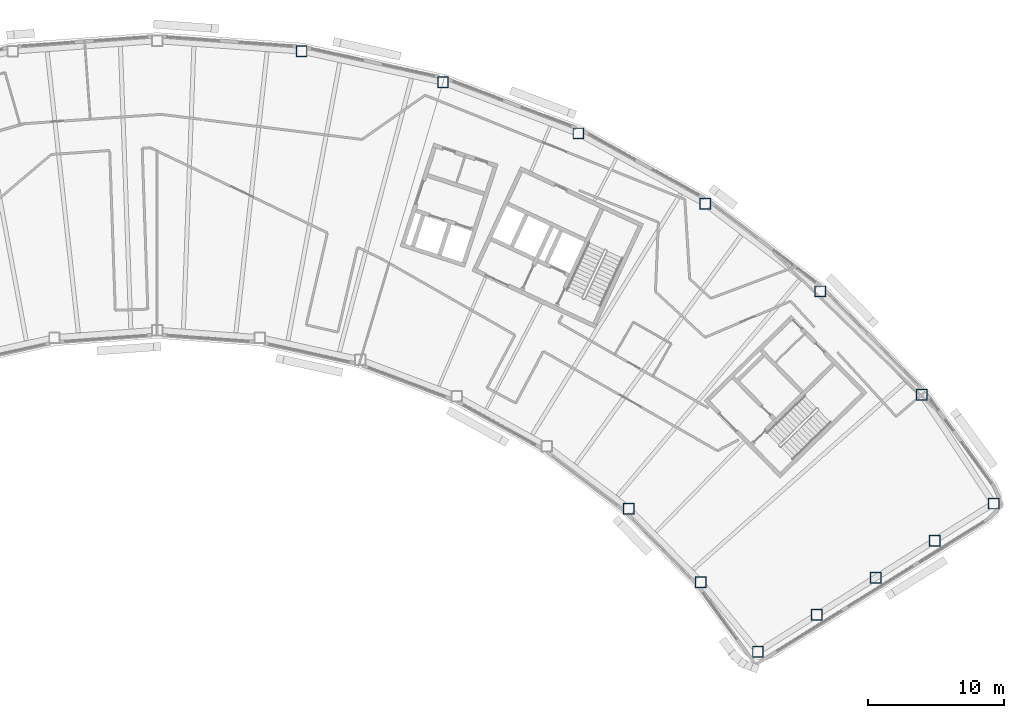
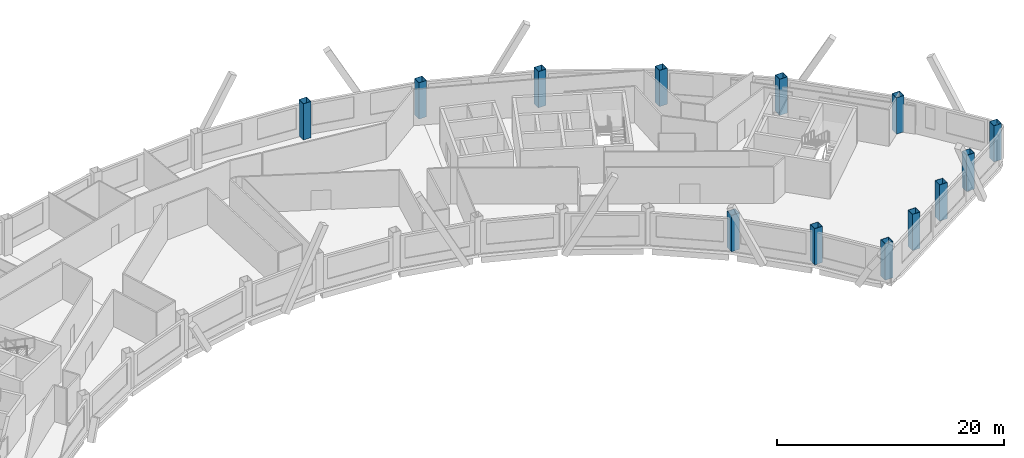
# One storey, part 2 of 12: 13 columns.
"""IFC4 building model written with IfcOpenShell, lengths in metres."""

import ifcopenshell
import ifcopenshell.guid

model = None  # the IFC model being written
_history = None  # IfcOwnerHistory: only IFC2X3 demands one
_inside = {}  # id of a spatial element -> (the spatial element, [elements in it])
_under = {}  # id of a project, library or spatial element -> (it, [spatial elements below it])
_declared = {}  # id of a project -> (the project, [libraries it declares])
_typed = {}  # id of a type object -> (the type object, [elements of that type])
_made_of = {}  # id of a material, layer set ... -> (it, [elements and type objects made of it])


def new_model(schema):
    """Start an empty IFC model of exactly this schema.

    Asked for "IFC4X3", IfcOpenShell would pick the latest addendum, in which some entities
    have other attributes; the version numbers below select the first issue.
    IFC2X3 requires an IfcOwnerHistory on every rooted entity: one is made here for all.
    """
    global model, _history
    if schema == "IFC4X3":
        model = ifcopenshell.file(schema_version=(4, 3, 0, 0))
    else:
        model = ifcopenshell.file(schema=schema)
    _inside.clear()
    _under.clear()
    _declared.clear()
    _typed.clear()
    _made_of.clear()
    _history = None
    if model.schema == "IFC2X3":
        org = make("IfcOrganization", Name="unknown")
        user = make(
            "IfcPersonAndOrganization",
            ThePerson=make("IfcPerson", FamilyName="unknown"),
            TheOrganization=org,
        )
        app = make(
            "IfcApplication",
            ApplicationDeveloper=org,
            Version="unknown",
            ApplicationFullName="unknown",
            ApplicationIdentifier="unknown",
        )
        _history = make(
            "IfcOwnerHistory",
            OwningUser=user,
            OwningApplication=app,
            ChangeAction="ADDED",
            CreationDate=0,
        )
    return model


def make(cls, **values):
    """One entity of the class cls with the attributes given. An attribute that is None is left unset."""
    return model.create_entity(
        cls, **{name: value for name, value in values.items() if value is not None}
    )


def rooted(cls, **values):
    """An entity with a GlobalId (a new one), such as an element, a storey or a relation."""
    return make(cls, GlobalId=ifcopenshell.guid.new(), OwnerHistory=_history, **values)


def si_unit(unit_type, name, prefix=None):
    """IfcSIUnit, for example si_unit("LENGTHUNIT", "METRE", prefix="MILLI")."""
    return make("IfcSIUnit", UnitType=unit_type, Prefix=prefix, Name=name)


def assignment(units):
    """IfcUnitAssignment: the units of a project."""
    return None if units is None else make("IfcUnitAssignment", Units=units)


def point(xyz):
    """IfcCartesianPoint."""
    return None if xyz is None else make("IfcCartesianPoint", Coordinates=xyz)


def direction(xyz):
    """IfcDirection."""
    return None if xyz is None else make("IfcDirection", DirectionRatios=xyz)


def frame(location, z_axis=None, x_axis=None):
    """IfcAxis2Placement3D, a coordinate frame: its origin and axes. An axis left out is left unset."""
    return make(
        "IfcAxis2Placement3D",
        Location=point(location),
        Axis=direction(z_axis),
        RefDirection=direction(x_axis),
    )


def frame_2d(location, x_axis=None):
    """IfcAxis2Placement2D, a coordinate frame in the plane: its origin and x axis."""
    return make(
        "IfcAxis2Placement2D", Location=point(location), RefDirection=direction(x_axis)
    )


def origin():
    """The frame at (0, 0, 0) with its axes left unset."""
    return frame((0.0, 0.0, 0.0))


def origin_2d():
    """The frame at (0, 0) in the plane with its x axis left unset."""
    return frame_2d((0.0, 0.0))


def place(relative_to, where):
    """IfcLocalPlacement: puts the frame where relative to a parent placement (None: the world)."""
    return make(
        "IfcLocalPlacement", PlacementRelTo=relative_to, RelativePlacement=where
    )


def context(
    kind, dimensions, precision=None, world=None, true_north=None, identifier=None
):
    """IfcGeometricRepresentationContext, for example the 3D "Model" context."""
    return make(
        "IfcGeometricRepresentationContext",
        ContextIdentifier=identifier,
        ContextType=kind,
        CoordinateSpaceDimension=dimensions,
        Precision=precision,
        WorldCoordinateSystem=world,
        TrueNorth=true_north,
    )


def subcontext(parent, identifier, kind, view, scale=None):
    """IfcGeometricRepresentationSubContext, for example "Body" below "Model"."""
    return make(
        "IfcGeometricRepresentationSubContext",
        ContextIdentifier=identifier,
        ContextType=kind,
        ParentContext=parent,
        TargetScale=scale,
        TargetView=view,
    )


def project(units=None, contexts=None):
    """IfcProject with its units and contexts."""
    return rooted(
        "IfcProject",
        Name="project",
        RepresentationContexts=contexts,
        UnitsInContext=assignment(units),
    )


def spatial(cls, under=None, at=None, **own):
    """A site, building, storey or space (cls), placed at a placement, below another one or the project."""
    s = rooted(cls, ObjectPlacement=at, **own)
    if under is not None:
        _under.setdefault(under.id(), (under, []))[1].append(s)
    return s


def profile(cls, at=None, kind="AREA", **sizes):
    """A parametric profile (cls). Its sizes go by their IFC names, for example OverallWidth=200.0."""
    return make(cls, ProfileType=kind, Position=at, **sizes)


def hollow_rectangle(**sizes):
    """IfcRectangleHollowProfileDef."""
    return profile("IfcRectangleHollowProfileDef", **sizes)


def extrude(swept, where, along, depth):
    """IfcExtrudedAreaSolid: the profile swept, set in the frame where, extruded along a direction by depth."""
    return make(
        "IfcExtrudedAreaSolid",
        SweptArea=swept,
        Position=where,
        ExtrudedDirection=direction(along),
        Depth=depth,
    )


def shape(context_of_items, identifier, shape_type, items):
    """IfcShapeRepresentation: the items that make up one representation, for example the "Body"."""
    return make(
        "IfcShapeRepresentation",
        ContextOfItems=context_of_items,
        RepresentationIdentifier=identifier,
        RepresentationType=shape_type,
        Items=items,
    )


def material(Name=None, Category=None):
    """IfcMaterial."""
    return make("IfcMaterial", Name=Name, Category=Category)


def material_profile(
    of_material, cross_section, Name=None, Category=None, Priority=None
):
    """IfcMaterialProfile: a cross section and its material."""
    return make(
        "IfcMaterialProfile",
        Name=Name,
        Material=of_material,
        Profile=cross_section,
        Priority=Priority,
        Category=Category,
    )


def profile_set(profiles, Name=None, composite=None):
    """IfcMaterialProfileSet."""
    return make(
        "IfcMaterialProfileSet",
        Name=Name,
        MaterialProfiles=profiles,
        CompositeProfile=composite,
    )


def made_of(thing, what):
    """Note that an element or type object is made of a material, layer set ...; save() writes the relation."""
    if what is not None:
        _made_of.setdefault(what.id(), (what, []))[1].append(thing)
    return thing


def type_object(cls, material=None, **own):
    """A type object (cls), such as IfcWallType, which elements share."""
    return made_of(rooted(cls, **own), material)


def element(
    cls,
    number,
    at=None,
    inside=None,
    cuts=None,
    type_object=None,
    material=None,
    context=None,
    identifier="Body",
    shape_type=None,
    held_by="IfcProductDefinitionShape",
    body=None,
    shapes=None,
    **own,
):
    """One element of the class cls, such as IfcWall. Its Tag is "e" and its number.

    at: its placement. inside: the storey or other place that contains it. cuts: it is an
    opening in that element (IfcRelVoidsElement). A single representation is given by context,
    identifier, shape_type and body (its items); several are given by shapes. held_by: the class
    of the entity that holds the representations. save() writes the other relations.
    """
    e = rooted(cls, Tag="e%d" % number, ObjectPlacement=at, **own)
    if body is not None:
        shapes = [shape(context, identifier, shape_type, body)]
    if shapes is not None:
        e.Representation = make(held_by, Representations=shapes)
    if inside is not None:
        _inside.setdefault(inside.id(), (inside, []))[1].append(e)
    if cuts is not None:
        rooted(
            "IfcRelVoidsElement", RelatingBuildingElement=cuts, RelatedOpeningElement=e
        )
    if type_object is not None:
        _typed.setdefault(type_object.id(), (type_object, []))[1].append(e)
    return made_of(e, material)


def aggregate(whole, parts):
    """IfcRelAggregates: a whole, such as a stair, and the parts it consists of."""
    return rooted("IfcRelAggregates", RelatingObject=whole, RelatedObjects=parts)


def save(model, path):
    """Write the relations noted so far, then the file.

    IfcRelAggregates (storeys below a building ...), IfcRelContainedInSpatialStructure (elements
    in a storey), IfcRelDefinesByType, IfcRelAssociatesMaterial and IfcRelDeclares: one each for
    every whole, place, type object, material and project.
    """
    for whole, parts in _under.values():
        aggregate(whole, parts)
    for where, things in _inside.values():
        rooted(
            "IfcRelContainedInSpatialStructure",
            RelatedElements=things,
            RelatingStructure=where,
        )
    for kind, things in _typed.values():
        rooted("IfcRelDefinesByType", RelatedObjects=things, RelatingType=kind)
    for what, things in _made_of.values():
        rooted("IfcRelAssociatesMaterial", RelatedObjects=things, RelatingMaterial=what)
    for by, libraries in _declared.values():
        rooted("IfcRelDeclares", RelatingContext=by, RelatedDefinitions=libraries)
    model.write(path)


model = new_model("IFC4")

# Units and contexts
model_context = context("Model", 3, precision=1e-05, world=origin(), true_north=direction((0.0, 1.0)))
body_context = subcontext(model_context, "Body", "Model", "MODEL_VIEW")
ifc_project = project(units=[si_unit("LENGTHUNIT", "METRE"), si_unit("AREAUNIT", "SQUARE_METRE"), si_unit("VOLUMEUNIT", "CUBIC_METRE"), si_unit("PLANEANGLEUNIT", "RADIAN"), si_unit("MASSUNIT", "GRAM", prefix="KILO")], contexts=[model_context])

# Site, building, storey
site_placement = place(None, origin())
site = spatial("IfcSite", under=ifc_project, at=site_placement, CompositionType="ELEMENT")
building_placement = place(site_placement, origin())
building = spatial("IfcBuilding", under=site, at=building_placement, Name="Tuul Gate Civic Tower", CompositionType="ELEMENT")
storey_placement = place(building_placement, frame((0.0, 0.0, 328.10009765625)))
storey = spatial("IfcBuildingStorey", under=building, at=storey_placement, Name="Level 74", CompositionType="ELEMENT", Elevation=328.10009765625)

# Columns
ifc_material = material(Name="Steel S355", Category="steel")
ifc_material_profile = material_profile(ifc_material, hollow_rectangle(XDim=0.800048828125, YDim=0.800048828125, WallThickness=0.031982421875, at=origin_2d()), Name="BOX800x800x32")
ifc_profile_set = profile_set([ifc_material_profile], Name="Steel S355")
column_type = type_object("IfcColumnType", Name="STR-COLUMN-BOX800x800x32", PredefinedType="COLUMN", material=ifc_profile_set)
for number, where, z_axis, x_axis, name in (
    (1, (63.863037109375, -20.300048828125, 0.0), (0.0, 0.0, 1.0), (1.0, 0.0, 0.0), "Column"),
    (2, (58.56396484375, -12.2880859375, 0.0), (0.0, 0.0, 1.0), (1.0, 0.0, 0.0), "Column"),
    (3, (51.090087890625, -4.6630859375, 0.0), (0.0, 0.0, 1.0), (1.0, 0.0, 0.0), "Column"),
    (4, (42.593994140625, 1.804931640625, 0.0), (0.0, 0.0, 1.0), (1.0, 0.0, 0.0), "Column"),
    (5, (33.256103515625, 6.98193359375, 0.0), (0.0, 0.0, 1.0), (1.0, 0.0, 0.0), "Column"),
    (6, (23.26904296875, 10.758056640625, 0.0), (0.0, 0.0, 1.0), (1.0, 0.0, 0.0), "Column"),
    (7, (12.841064453125, 13.055908203125, 0.0), (0.0, 0.0, 1.0), (1.0, 0.0, 0.0), "Column"),
    (8, (36.958984375, -20.675048828125, 0.0), (0.0, 0.0, 1.0), (1.0, 0.0, 0.0), "Column"),
    (9, (42.27294921875, -26.096923828125, 0.0), (0.0, 0.0, 1.0), (1.0, 0.0, 0.0), "Column"),
    (10, (46.492919921875, -31.239013671875, 0.0), (0.0, 0.0, 1.0), (1.0, 0.0, 0.0), "Column"),
    (11, (50.8349609375, -28.50390625, 0.0), (0.0, 0.0, 1.0), (1.0, 0.0, 0.0), "Column"),
    (12, (55.177978515625, -25.77001953125, 0.0), (0.0, 0.0, 1.0), (1.0, 0.0, 0.0), "Column"),
    (13, (59.52001953125, -23.034912109375, 0.0), (0.0, 0.0, 1.0), (1.0, 0.0, 0.0), "Column"),
):
    element("IfcColumn", number, at=place(storey_placement, frame(where, z_axis=z_axis, x_axis=x_axis)), inside=storey, type_object=column_type, Name=name, PredefinedType="COLUMN", context=body_context, shape_type="SweptSolid", body=[
        extrude(hollow_rectangle(XDim=0.800048828125, YDim=0.800048828125, WallThickness=0.031982421875, at=origin_2d()), origin(), (0.0, 0.0, 1.0), 3.89990234375),
    ])

save(model, "model.ifc")
